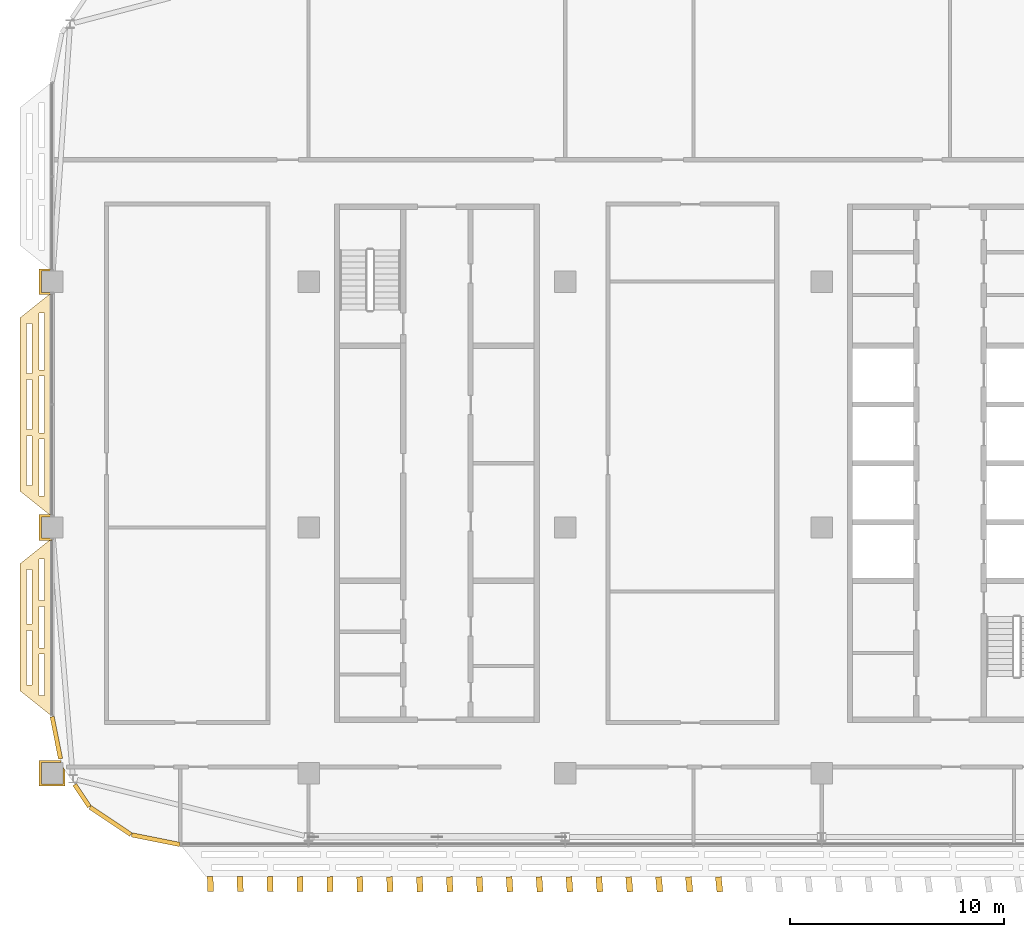
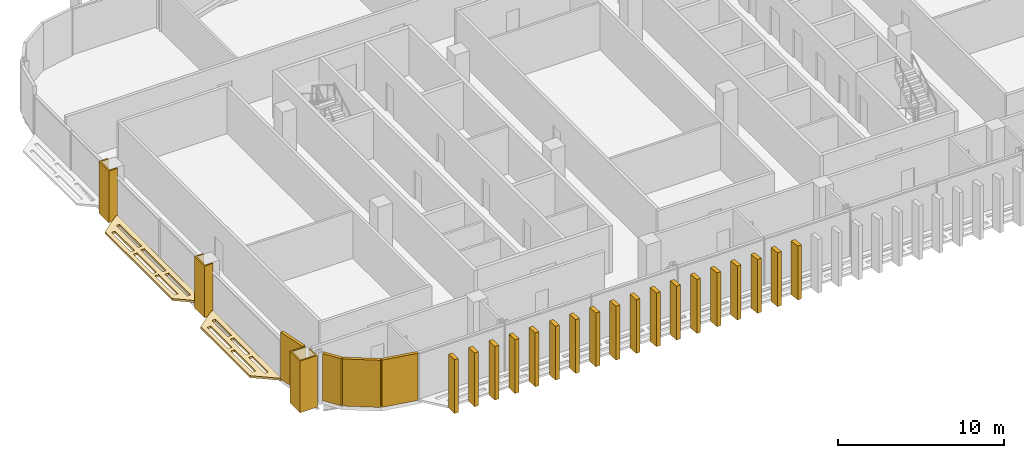
# One storey, part 27 of 35: 27 coverings.
"""IFC4 building model written with IfcOpenShell, lengths in metres."""

from ifc_helpers import new_model, si_unit, direction, frame, origin, origin_2d, place, context, subcontext, project, spatial, polyline, rectangle, outline, extrude, material, layer, layer_set, type_object, element, save


model = new_model("IFC4")

# Units and contexts
model_context = context("Model", 3, precision=1e-05, world=origin(), true_north=direction((0.0, 1.0)))
body_context = subcontext(model_context, "Body", "Model", "MODEL_VIEW")
ifc_project = project(units=[si_unit("LENGTHUNIT", "METRE"), si_unit("AREAUNIT", "SQUARE_METRE"), si_unit("VOLUMEUNIT", "CUBIC_METRE"), si_unit("PLANEANGLEUNIT", "RADIAN"), si_unit("MASSUNIT", "GRAM", prefix="KILO")], contexts=[model_context])

# Site, building, storey
site_placement = place(None, origin())
site = spatial("IfcSite", under=ifc_project, at=site_placement, CompositionType="ELEMENT")
building_placement = place(site_placement, origin())
building = spatial("IfcBuilding", under=site, at=building_placement, Name="Mahtab Terrace Research Tower", CompositionType="ELEMENT")
storey_placement = place(building_placement, frame((0.0, 0.0, 251.39990234375)))
storey = spatial("IfcBuildingStorey", under=building, at=storey_placement, Name="L61", CompositionType="ELEMENT", Elevation=251.39990234375)

# Coverings
ifc_material_1 = material(Name="Black aluminium cladding panel", Category="aluminium")
ifc_layer_1 = layer(ifc_material_1, 0.199951171875)
ifc_layer_set_1 = layer_set([ifc_layer_1], Name="Black metal corner cladding 200")
covering_type_1 = type_object("IfcCoveringType", Name="Black metal corner cladding 200", PredefinedType="CLADDING", material=ifc_layer_set_1)
covering_1_placement = place(storey_placement, frame((-41.80029296875, -9.837646484375, 0.0), z_axis=(0.0, 0.0, 1.0), x_axis=(0.195212442692, -0.980760981187, 0.0)))
element("IfcCovering", 1, at=covering_1_placement, inside=storey, type_object=covering_type_1, Name="Corner cladding L61 13", PredefinedType="CLADDING", context=body_context, shape_type="SweptSolid", body=[
    extrude(rectangle(XDim=2.0068359375, YDim=0.199951171875, at=origin_2d()), origin(), (0.0, 0.0, 1.0), 3.4599609375),
])
covering_2_placement = place(storey_placement, frame((-40.5986328125, -12.544189453125, 0.0), z_axis=(0.0, 0.0, 1.0), x_axis=(0.555291490808, -0.831655794326, 0.0)))
element("IfcCovering", 2, at=covering_2_placement, inside=storey, type_object=covering_type_1, Name="Corner cladding L61 14", PredefinedType="CLADDING", context=body_context, shape_type="SweptSolid", body=[
    extrude(rectangle(XDim=1.241455078125, YDim=0.199951171875, at=origin_2d()), origin(), (0.0, 0.0, 1.0), 3.4599609375),
])
for number, where, z_axis, x_axis, name in (
    (3, (-39.26953125, -13.72705078125, 0.0), (0.0, 0.0, 1.0), (0.831655794326, -0.555291490808, 0.0), "Corner cladding L61 15"),
    (4, (-37.14794921875, -14.60546875, 0.0), (0.0, 0.0, 1.0), (0.980760981187, -0.195212442692, 0.0), "Corner cladding L61 16"),
):
    element("IfcCovering", number, at=place(storey_placement, frame(where, z_axis=z_axis, x_axis=x_axis)), inside=storey, type_object=covering_type_1, Name=name, PredefinedType="CLADDING", context=body_context, shape_type="SweptSolid", body=[
        extrude(rectangle(XDim=2.30126953125, YDim=0.199951171875, at=origin_2d()), origin(), (0.0, 0.0, 1.0), 3.4599609375),
    ])
ifc_material_2 = material(Name="Dark anodised aluminium cladding", Category="aluminium")
ifc_layer_2 = layer(ifc_material_2, 0.10009765625)
ifc_layer_set_2 = layer_set([ifc_layer_2], Name="Column casing 100")
covering_type_2 = type_object("IfcCoveringType", Name="Column casing 100", PredefinedType="CLADDING", material=ifc_layer_set_2)
covering_3_placement = place(storey_placement, frame((0.0, 0.0, -0.33984375)))
element("IfcCovering", 5, at=covering_3_placement, inside=storey, type_object=covering_type_2, Name="Column casing RC-1B L61", PredefinedType="CLADDING", context=body_context, shape_type="SweptSolid", body=[
    extrude(outline(polyline([(-42.60009765625, 0.60009765625), (-42.0, 0.60009765625), (-42.0, 0.5), (-42.5, 0.5), (-42.5, -0.5), (-42.0, -0.5), (-42.0, -0.60009765625), (-42.60009765625, -0.60009765625), (-42.60009765625, 0.60009765625)])), origin(), (0.0, 0.0, 1.0), 3.800048828125),
])
covering_4_placement = place(storey_placement, frame((0.0, 0.0, -0.33984375)))
element("IfcCovering", 6, at=covering_4_placement, inside=storey, type_object=covering_type_2, Name="Column casing RC-1C L61", PredefinedType="CLADDING", context=body_context, shape_type="SweptSolid", body=[
    extrude(outline(polyline([(-42.60009765625, 12.10009765625), (-42.0, 12.10009765625), (-42.0, 12.0), (-42.5, 12.0), (-42.5, 11.0), (-42.0, 11.0), (-42.0, 10.89990234375), (-42.60009765625, 10.89990234375), (-42.60009765625, 12.10009765625)])), origin(), (0.0, 0.0, 1.0), 3.800048828125),
])
covering_5_placement = place(storey_placement, frame((0.0, 0.0, -0.33984375)))
element("IfcCovering", 7, at=covering_5_placement, inside=storey, type_object=covering_type_2, Name="Column casing RC-1A L61", PredefinedType="CLADDING", context=body_context, shape_type="SweptSolid", body=[
    extrude(outline(polyline([(-42.60009765625, -10.89990234375), (-41.589111328125, -10.89990234375), (-41.569091796875, -11.0), (-42.5, -11.0), (-42.5, -12.0), (-41.5, -12.0), (-41.5, -11.194091796875), (-41.39990234375, -11.343994140625), (-41.39990234375, -12.10009765625), (-42.60009765625, -12.10009765625), (-42.60009765625, -10.89990234375)])), origin(), (0.0, 0.0, 1.0), 3.800048828125),
])
ifc_material_3 = material(Name="Black anodised aluminium", Category="aluminium")
ifc_layer_3 = layer(ifc_material_3, 0.14990234375)
ifc_layer_set_3 = layer_set([ifc_layer_3], Name="Horizontal sunshade band")
covering_type_3 = type_object("IfcCoveringType", Name="Horizontal sunshade band", PredefinedType="CLADDING", material=ifc_layer_set_3)
covering_6_placement = place(storey_placement, frame((0.0, 0.0, -0.14990234375)))
element("IfcCovering", 8, at=covering_6_placement, inside=storey, type_object=covering_type_3, Name="Sunshade band L61 11", PredefinedType="CLADDING", context=body_context, shape_type="SweptSolid", body=[
    extrude(outline(polyline([(-42.0, 11.0), (-42.0, 0.5), (-43.5, 1.699951171875), (-43.5, 9.800048828125), (-42.0, 11.0)]), holes=[polyline([(-42.35009765625, 10.02001953125), (-42.35009765625, 7.373046875), (-42.60009765625, 7.373046875), (-42.60009765625, 10.02001953125), (-42.35009765625, 10.02001953125)]), polyline([(-42.35009765625, 7.072998046875), (-42.35009765625, 4.427001953125), (-42.60009765625, 4.427001953125), (-42.60009765625, 7.072998046875), (-42.35009765625, 7.072998046875)]), polyline([(-42.35009765625, 4.126953125), (-42.35009765625, 1.47998046875), (-42.60009765625, 1.47998046875), (-42.60009765625, 4.126953125), (-42.35009765625, 4.126953125)]), polyline([(-42.949951171875, 9.5400390625), (-42.949951171875, 7.212890625), (-43.199951171875, 7.212890625), (-43.199951171875, 9.5400390625), (-42.949951171875, 9.5400390625)]), polyline([(-42.949951171875, 6.9130859375), (-42.949951171875, 4.5869140625), (-43.199951171875, 4.5869140625), (-43.199951171875, 6.9130859375), (-42.949951171875, 6.9130859375)]), polyline([(-42.949951171875, 4.287109375), (-42.949951171875, 1.9599609375), (-43.199951171875, 1.9599609375), (-43.199951171875, 4.287109375), (-42.949951171875, 4.287109375)])]), origin(), (0.0, 0.0, 1.0), 0.14990234375),
])
covering_7_placement = place(storey_placement, frame((0.0, 0.0, -0.14990234375)))
element("IfcCovering", 9, at=covering_7_placement, inside=storey, type_object=covering_type_3, Name="Sunshade band L61 12", PredefinedType="CLADDING", context=body_context, shape_type="SweptSolid", body=[
    extrude(outline(polyline([(-42.0, -0.5), (-42.0, -8.833984375), (-43.5, -7.634033203125), (-43.5, -1.699951171875), (-42.0, -0.5)]), holes=[polyline([(-42.35009765625, -1.47998046875), (-42.35009765625, -3.405029296875), (-42.60009765625, -3.405029296875), (-42.60009765625, -1.47998046875), (-42.35009765625, -1.47998046875)]), polyline([(-42.35009765625, -3.705078125), (-42.35009765625, -5.62890625), (-42.60009765625, -5.62890625), (-42.60009765625, -3.705078125), (-42.35009765625, -3.705078125)]), polyline([(-42.35009765625, -5.928955078125), (-42.35009765625, -7.85400390625), (-42.60009765625, -7.85400390625), (-42.60009765625, -5.928955078125), (-42.35009765625, -5.928955078125)]), polyline([(-42.949951171875, -1.9599609375), (-42.949951171875, -4.51708984375), (-43.199951171875, -4.51708984375), (-43.199951171875, -1.9599609375), (-42.949951171875, -1.9599609375)]), polyline([(-42.949951171875, -4.81689453125), (-42.949951171875, -7.3740234375), (-43.199951171875, -7.3740234375), (-43.199951171875, -4.81689453125), (-42.949951171875, -4.81689453125)])]), origin(), (0.0, 0.0, 1.0), 0.14990234375),
])
ifc_material_4 = material(Name="Bronze anodised aluminium", Category="aluminium")
ifc_layer_4 = layer(ifc_material_4, 0.1201171875)
ifc_layer_set_4 = layer_set([ifc_layer_4], Name="Vertical fin 700")
covering_type_4 = type_object("IfcCoveringType", Name="Vertical fin 700", PredefinedType="CLADDING", material=ifc_layer_set_4)
for number, where, z_axis, x_axis, name in (
    (10, (-34.60009765625, -16.684814453125, -0.14990234375), (0.0, 0.0, 1.0), (0.999983076858, 0.005817731349, 0.0), "Fin L61 S1"),
    (11, (-33.199951171875, -16.685546875, -0.14990234375), (0.0, 0.0, 1.0), (0.999932308004, 0.011635265807, 0.0), "Fin L61 S2"),
    (12, (-31.800048828125, -16.686279296875, -0.14990234375), (0.0, 0.0, 1.0), (0.999847695156, 0.017452406437, 0.0), "Fin L61 S3"),
    (13, (-30.39990234375, -16.687255859375, -0.14990234375), (0.0, 0.0, 1.0), (0.99972924118, 0.023268956368, 0.0), "Fin L61 S4"),
    (14, (-29.0, -16.68798828125, -0.14990234375), (0.0, 0.0, 1.0), (0.999576950082, 0.029084718749, 0.0), "Fin L61 S5"),
    (15, (-27.60009765625, -16.688720703125, -0.14990234375), (0.0, 0.0, 1.0), (0.999390827019, 0.034899496703, 0.0), "Fin L61 S6"),
    (16, (-26.199951171875, -16.689453125, -0.14990234375), (0.0, 0.0, 1.0), (0.99917087829, 0.040713093438, 0.0), "Fin L61 S7"),
    (17, (-24.800048828125, -16.690185546875, -0.14990234375), (0.0, 0.0, 1.0), (0.998917111338, 0.046525312204, 0.0), "Fin L61 S8"),
    (18, (-23.39990234375, -16.69091796875, -0.14990234375), (0.0, 0.0, 1.0), (0.998629534755, 0.052335956243, 0.0), "Fin L61 S9"),
    (19, (-22.0, -16.691650390625, -0.14990234375), (0.0, 0.0, 1.0), (0.998308158272, 0.058144828905, 0.0), "Fin L61 S10"),
    (20, (-20.60009765625, -16.692138671875, -0.14990234375), (0.0, 0.0, 1.0), (0.997952992766, 0.063951733597, 0.0), "Fin L61 S11"),
    (21, (-19.199951171875, -16.69287109375, -0.14990234375), (0.0, 0.0, 1.0), (0.99756405026, 0.069756473744, 0.0), "Fin L61 S12"),
    (22, (-17.800048828125, -16.693603515625, -0.14990234375), (0.0, 0.0, 1.0), (0.997141343917, 0.075558852893, 0.0), "Fin L61 S13"),
    (23, (-16.39990234375, -16.6943359375, -0.14990234375), (0.0, 0.0, 1.0), (0.996684888044, 0.081358674674, 0.0), "Fin L61 S14"),
    (24, (-15.0, -16.69482421875, -0.14990234375), (0.0, 0.0, 1.0), (0.996194698092, 0.087155742748, 0.0), "Fin L61 S15"),
    (25, (-13.60009765625, -16.695556640625, -0.14990234375), (0.0, 0.0, 1.0), (0.99567079065, 0.092949860924, 0.0), "Fin L61 S16"),
    (26, (-12.199951171875, -16.696044921875, -0.14990234375), (0.0, 0.0, 1.0), (0.99511318345, 0.098740833109, 0.0), "Fin L61 S17"),
    (27, (-10.800048828125, -16.69677734375, -0.14990234375), (0.0, 0.0, 1.0), (0.994521895368, 0.104528463268, 0.0), "Fin L61 S18"),
):
    element("IfcCovering", number, at=place(storey_placement, frame(where, z_axis=z_axis, x_axis=x_axis)), inside=storey, type_object=covering_type_4, Name=name, PredefinedType="CLADDING", context=body_context, shape_type="SweptSolid", body=[
        extrude(rectangle(XDim=0.280029296875, YDim=0.699951171875, at=origin_2d()), origin(), (0.0, 0.0, 1.0), 3.949951171875),
    ])

save(model, "model.ifc")
